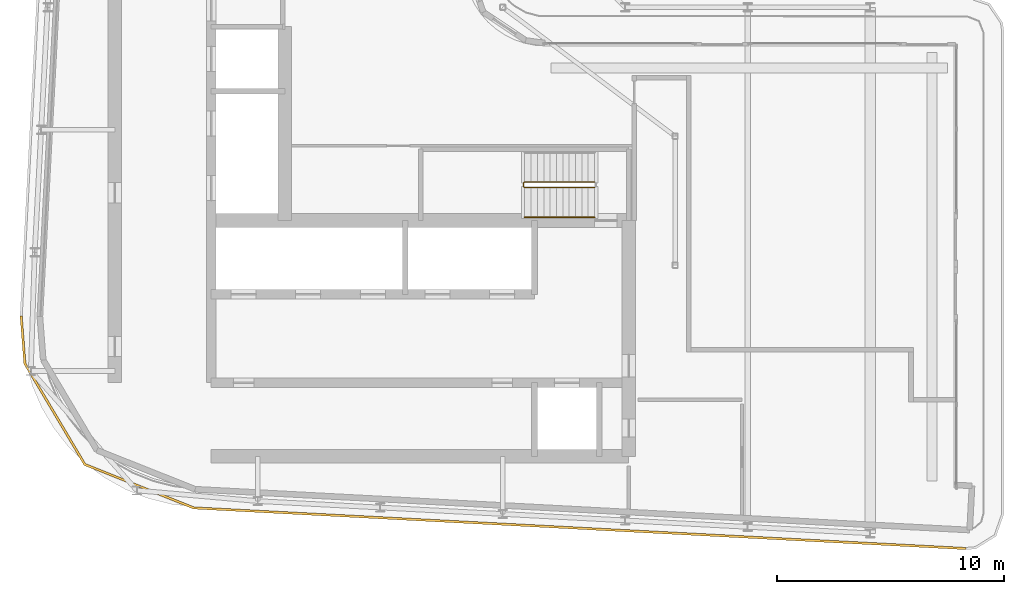
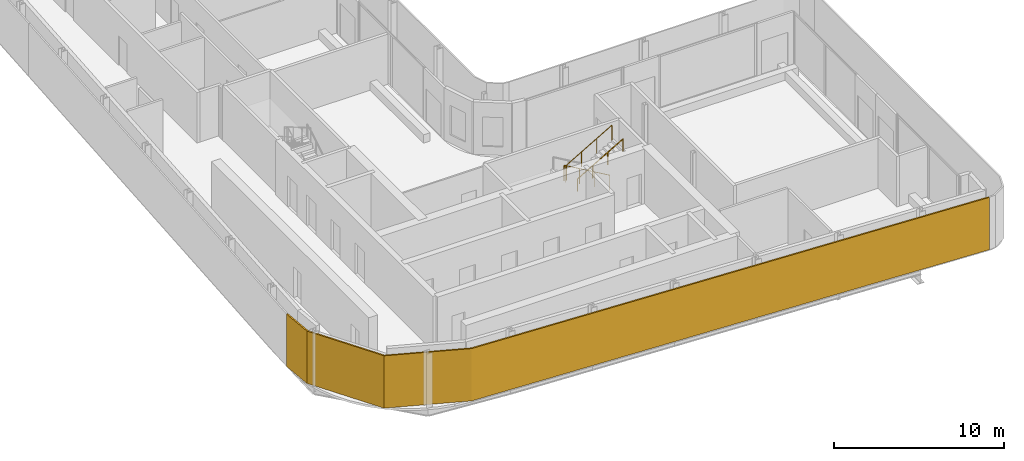
# One storey, part 15 of 20: 2 railings, 1 shading device.
"""IFC4 building model written with IfcOpenShell, lengths in metres."""

from ifc_helpers import new_model, si_unit, direction, frame, origin, origin_2d, place, context, subcontext, project, spatial, polyline, circle, outline, extrude, material, layer, layer_set, type_object, element, save


model = new_model("IFC4")

# Units and contexts
model_context = context("Model", 3, precision=1e-05, world=origin(), true_north=direction((0.0, 1.0)))
body_context = subcontext(model_context, "Body", "Model", "MODEL_VIEW")
ifc_project = project(units=[si_unit("LENGTHUNIT", "METRE"), si_unit("AREAUNIT", "SQUARE_METRE"), si_unit("VOLUMEUNIT", "CUBIC_METRE"), si_unit("PLANEANGLEUNIT", "RADIAN"), si_unit("MASSUNIT", "GRAM", prefix="KILO")], contexts=[model_context])

# Site, building, storey
site_placement = place(None, origin())
site = spatial("IfcSite", under=ifc_project, at=site_placement, CompositionType="ELEMENT")
building_placement = place(site_placement, origin())
building = spatial("IfcBuilding", under=site, at=building_placement, Name="Kheshtan School and Residences Tower", CompositionType="ELEMENT")
storey_placement = place(building_placement, frame((0.0, 0.0, 286.39990234375)))
storey = spatial("IfcBuildingStorey", under=building, at=storey_placement, Name="L67", CompositionType="ELEMENT", Elevation=286.39990234375)

# Shading device
ifc_material_1 = material(Name="Terracotta baguette, extruded ceramic", Category="masonry")
ifc_layer = layer(ifc_material_1, 0.10009765625)
ifc_layer_set = layer_set([ifc_layer], Name="Ledge screen, terracotta baguettes")
shading_device_type = type_object("IfcShadingDeviceType", Name="Ledge screen, terracotta baguettes", PredefinedType="USERDEFINED", material=ifc_layer_set)
shading_device_placement = place(storey_placement, origin())
element("IfcShadingDevice", 1, at=shading_device_placement, inside=storey, type_object=shading_device_type, Name="Screen L67 3", ObjectType="BAGUETTE", PredefinedType="USERDEFINED", context=body_context, shape_type="SweptSolid", body=[
    extrude(outline(polyline([(68.02099609375, 21.7880859375), (33.989013671875, 23.580078125), (29.2119140625, 25.486083984375), (26.583984375, 29.906982421875), (26.419921875, 31.989013671875), (26.320068359375, 31.98095703125), (26.486083984375, 29.8759765625), (29.14306640625, 25.406005859375), (33.967041015625, 23.48095703125), (68.01611328125, 21.68798828125), (68.02099609375, 21.7880859375)])), origin(), (0.0, 0.0, 1.0), 3.75),
])

# Railings
ifc_material_2 = material(Name="Stainless steel balustrade", Category="steel")
railing_type_1 = type_object("IfcRailingType", Name="Stair guard 1100", PredefinedType="GUARDRAIL", material=ifc_material_2)
railing_1_placement = place(storey_placement, frame((51.64990234375, 37.89990234375, 0.16259765625)))
element("IfcRailing", 2, at=railing_1_placement, inside=storey, type_object=railing_type_1, Name="L67 ST1 stair guard 1", PredefinedType="GUARDRAIL", context=body_context, shape_type="SweptSolid", body=[
    extrude(circle(Radius=0.02392578125, at=origin_2d()), frame((0.0, 0.0, 1.076171875), z_axis=(-0.864873446163, 0.0, 0.501989962173), x_axis=(0.0, -1.0, 0.0)), (0.0, 0.0, 1.0), 3.56103515625),
    extrude(circle(Radius=0.02392578125, at=origin_2d()), frame((-3.079833984375, 0.0, 2.86376953125), z_axis=(-0.708833529934, -0.705375805398, 0.0), x_axis=(0.705375805398, -0.708833529934, 0.0)), (0.0, 0.0, 1.0), 0.070556640625),
    extrude(circle(Radius=0.02392578125, at=origin_2d()), frame((-3.1298828125, -0.0498046875, 2.86376953125), z_axis=(0.0, -1.0, 0.0), x_axis=(1.0, 0.0, 0.0)), (0.0, 0.0, 1.0), 0.150146484375),
    extrude(circle(Radius=0.02392578125, at=origin_2d()), frame((-3.1298828125, -0.199951171875, 2.86376953125), z_axis=(0.282583949758, -0.282583949758, 0.916674763849), x_axis=(0.707106781187, 0.707106781187, 0.0)), (0.0, 0.0, 1.0), 0.177001953125),
    extrude(circle(Radius=0.02392578125, at=origin_2d()), frame((-3.079833984375, -0.25, 3.02587890625), z_axis=(0.864873446163, 0.0, 0.501989962173), x_axis=(0.0, 1.0, 0.0)), (0.0, 0.0, 1.0), 3.56103515625),
    extrude(circle(Radius=0.02099609375, at=origin_2d()), origin(), (0.0, 0.0, 1.0), 1.052001953125),
    extrude(circle(Radius=0.02099609375, at=origin_2d()), frame((-1.026611328125, 0.0, 0.595947265625)), (0.0, 0.0, 1.0), 1.052001953125),
    extrude(circle(Radius=0.02099609375, at=origin_2d()), frame((-2.05322265625, 0.0, 1.191650390625)), (0.0, 0.0, 1.0), 1.052001953125),
    extrude(circle(Radius=0.02099609375, at=origin_2d()), frame((-3.079833984375, 0.0, 1.78759765625)), (0.0, 0.0, 1.0), 1.052001953125),
    extrude(circle(Radius=0.02099609375, at=origin_2d()), frame((-3.1298828125, -0.0498046875, 1.78759765625)), (0.0, 0.0, 1.0), 1.052001953125),
    extrude(circle(Radius=0.02099609375, at=origin_2d()), frame((-3.1298828125, -0.199951171875, 1.78759765625)), (0.0, 0.0, 1.0), 1.052001953125),
    extrude(circle(Radius=0.02099609375, at=origin_2d()), frame((-3.079833984375, -0.25, 1.949951171875)), (0.0, 0.0, 1.0), 1.052001953125),
    extrude(circle(Radius=0.02099609375, at=origin_2d()), frame((-2.05322265625, -0.25, 2.5458984375)), (0.0, 0.0, 1.0), 1.052001953125),
    extrude(circle(Radius=0.02099609375, at=origin_2d()), frame((-1.026611328125, -0.25, 3.1416015625)), (0.0, 0.0, 1.0), 1.052001953125),
    extrude(circle(Radius=0.02099609375, at=origin_2d()), frame((0.0, -0.25, 3.737548828125)), (0.0, 0.0, 1.0), 1.052001953125),
])
ifc_material_3 = material(Name="Stainless steel handrail", Category="steel")
railing_type_2 = type_object("IfcRailingType", Name="Stair handrail 900", PredefinedType="HANDRAIL", material=ifc_material_3)
railing_2_placement = place(storey_placement, frame((48.570068359375, 36.35009765625, 2.112548828125)))
element("IfcRailing", 3, at=railing_2_placement, inside=storey, type_object=railing_type_2, Name="L67 ST1 stair handrail 2", PredefinedType="HANDRAIL", context=body_context, shape_type="SweptSolid", body=[
    extrude(circle(Radius=0.02392578125, at=origin_2d()), frame((0.0, 0.0, 0.8759765625), z_axis=(0.864873446163, 0.0, 0.501989962173), x_axis=(0.0, 1.0, 0.0)), (0.0, 0.0, 1.0), 3.56103515625),
    extrude(circle(Radius=0.02099609375, at=origin_2d()), origin(), (0.0, 0.0, 1.0), 0.851806640625),
    extrude(circle(Radius=0.02099609375, at=origin_2d()), frame((1.026611328125, 0.0, 0.595947265625)), (0.0, 0.0, 1.0), 0.851806640625),
    extrude(circle(Radius=0.02099609375, at=origin_2d()), frame((2.05322265625, 0.0, 1.191650390625)), (0.0, 0.0, 1.0), 0.851806640625),
    extrude(circle(Radius=0.02099609375, at=origin_2d()), frame((3.079833984375, 0.0, 1.78759765625)), (0.0, 0.0, 1.0), 0.851806640625),
])

save(model, "model.ifc")
